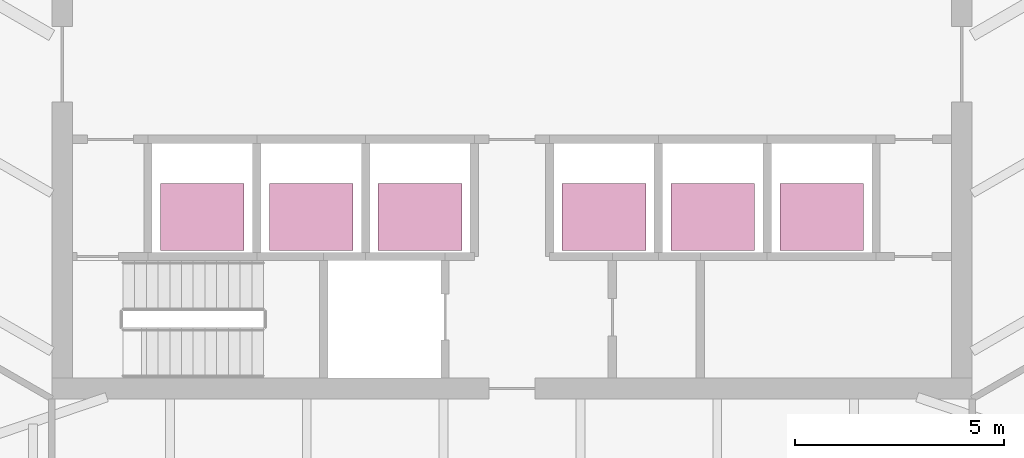
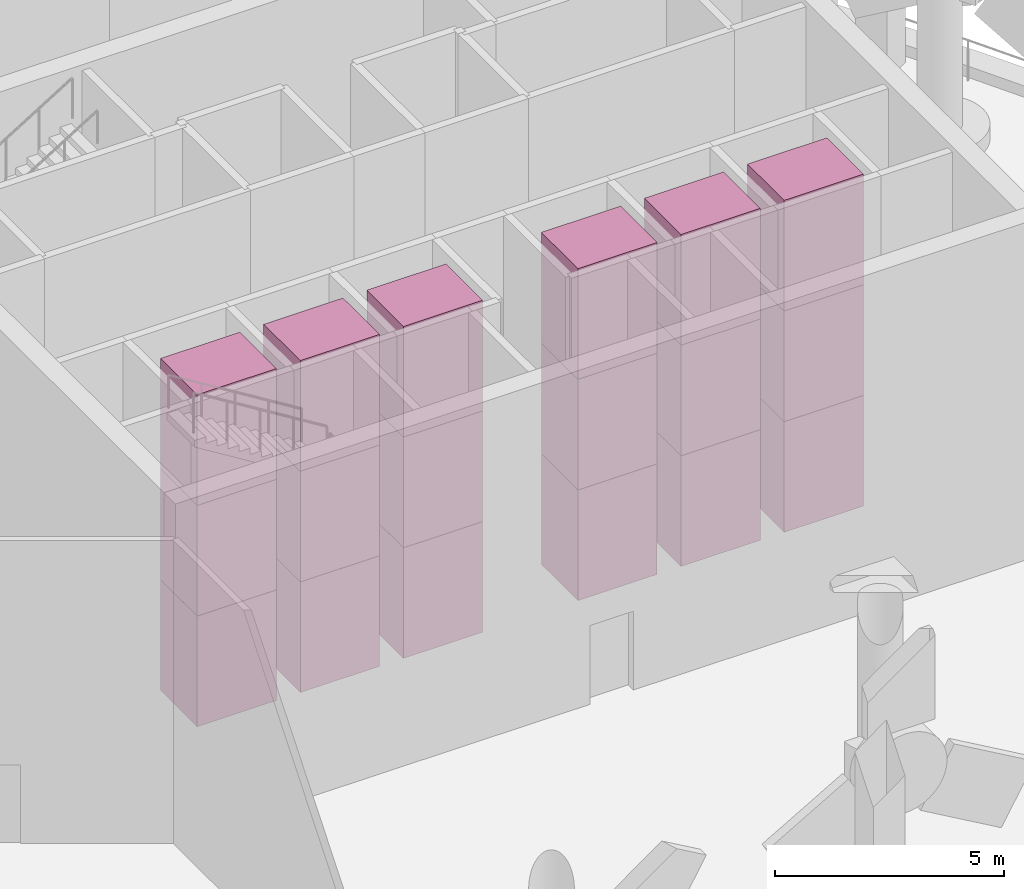
# One storey, part 12 of 12: 18 transport elements.
"""IFC4 building model written with IfcOpenShell, lengths in metres."""

from ifc_helpers import new_model, si_unit, direction, frame, origin, origin_2d, place, context, subcontext, project, spatial, rectangle, extrude, material, type_object, element, save


model = new_model("IFC4")

# Units and contexts
model_context = context("Model", 3, precision=1e-05, world=origin(), true_north=direction((0.0, 1.0)))
body_context = subcontext(model_context, "Body", "Model", "MODEL_VIEW")
ifc_project = project(units=[si_unit("LENGTHUNIT", "METRE"), si_unit("AREAUNIT", "SQUARE_METRE"), si_unit("VOLUMEUNIT", "CUBIC_METRE"), si_unit("PLANEANGLEUNIT", "RADIAN"), si_unit("MASSUNIT", "GRAM", prefix="KILO")], contexts=[model_context])

# Site, building, storey
site_placement = place(None, origin())
site = spatial("IfcSite", under=ifc_project, at=site_placement, CompositionType="ELEMENT")
building_placement = place(site_placement, origin())
building = spatial("IfcBuilding", under=site, at=building_placement, Name="Sierra Prisma Convention Tower", CompositionType="ELEMENT")
storey_placement = place(building_placement, frame((0.0, 0.0, 330.39990234375)))
storey = spatial("IfcBuildingStorey", under=building, at=storey_placement, Name="L75", CompositionType="ELEMENT", Elevation=330.39990234375)

# Transport elements
ifc_material = material(Name="Stainless steel", Category="steel")
transport_element_type = type_object("IfcTransportElementType", Name="Lift car office high 2000x1600 1600 kg", PredefinedType="ELEVATOR", material=ifc_material)
for number, where, z_axis, x_axis, name in (
    (1, (-7.39990234375, -3.64990234375, 0.0), (0.0, 0.0, 1.0), (1.0, 0.0, 0.0), "Lift OH1"),
    (2, (-7.39990234375, -3.64990234375, 2.9501953125), (0.0, 0.0, 1.0), (1.0, 0.0, 0.0), "Lift OH1"),
    (3, (-7.39990234375, -3.64990234375, 5.89990234375), (0.0, 0.0, 1.0), (1.0, 0.0, 0.0), "Lift OH1"),
    (4, (-4.800048828125, -3.64990234375, 0.0), (0.0, 0.0, 1.0), (1.0, 0.0, 0.0), "Lift OH2"),
    (5, (-4.800048828125, -3.64990234375, 2.9501953125), (0.0, 0.0, 1.0), (1.0, 0.0, 0.0), "Lift OH2"),
    (6, (-4.800048828125, -3.64990234375, 5.89990234375), (0.0, 0.0, 1.0), (1.0, 0.0, 0.0), "Lift OH2"),
    (7, (-2.199951171875, -3.64990234375, 0.0), (0.0, 0.0, 1.0), (1.0, 0.0, 0.0), "Lift OH3"),
    (8, (-2.199951171875, -3.64990234375, 2.9501953125), (0.0, 0.0, 1.0), (1.0, 0.0, 0.0), "Lift OH3"),
    (9, (-2.199951171875, -3.64990234375, 5.89990234375), (0.0, 0.0, 1.0), (1.0, 0.0, 0.0), "Lift OH3"),
    (10, (2.199951171875, -3.64990234375, 0.0), (0.0, 0.0, 1.0), (1.0, 0.0, 0.0), "Lift OH4"),
    (11, (2.199951171875, -3.64990234375, 2.9501953125), (0.0, 0.0, 1.0), (1.0, 0.0, 0.0), "Lift OH4"),
    (12, (2.199951171875, -3.64990234375, 5.89990234375), (0.0, 0.0, 1.0), (1.0, 0.0, 0.0), "Lift OH4"),
    (13, (4.800048828125, -3.64990234375, 0.0), (0.0, 0.0, 1.0), (1.0, 0.0, 0.0), "Lift OH5"),
    (14, (4.800048828125, -3.64990234375, 2.9501953125), (0.0, 0.0, 1.0), (1.0, 0.0, 0.0), "Lift OH5"),
    (15, (4.800048828125, -3.64990234375, 5.89990234375), (0.0, 0.0, 1.0), (1.0, 0.0, 0.0), "Lift OH5"),
    (16, (7.39990234375, -3.64990234375, 0.0), (0.0, 0.0, 1.0), (1.0, 0.0, 0.0), "Lift OH6"),
    (17, (7.39990234375, -3.64990234375, 2.9501953125), (0.0, 0.0, 1.0), (1.0, 0.0, 0.0), "Lift OH6"),
    (18, (7.39990234375, -3.64990234375, 5.89990234375), (0.0, 0.0, 1.0), (1.0, 0.0, 0.0), "Lift OH6"),
):
    element("IfcTransportElement", number, at=place(storey_placement, frame(where, z_axis=z_axis, x_axis=x_axis)), inside=storey, type_object=transport_element_type, Name=name, PredefinedType="ELEVATOR", context=body_context, shape_type="SweptSolid", body=[
        extrude(rectangle(XDim=2.0, YDim=1.60009765625, at=origin_2d()), origin(), (0.0, 0.0, 1.0), 2.949951171875),
    ])

save(model, "model.ifc")
